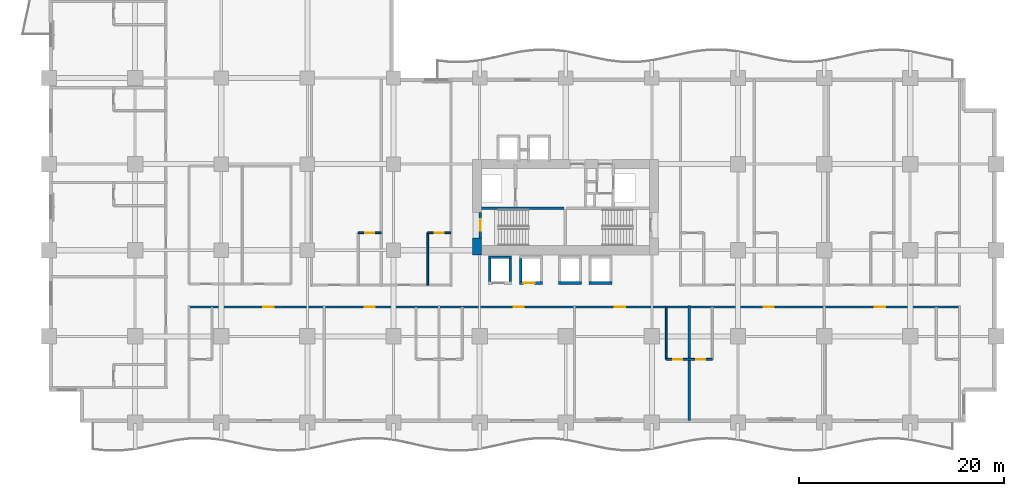
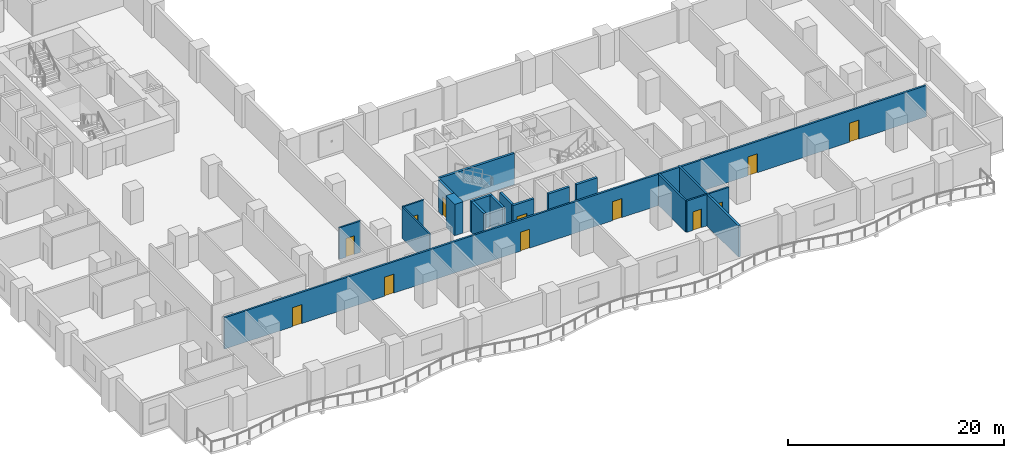
# One storey, part 6 of 22: 17 walls, 12 doors, 12 openings.
"""IFC4 building model written with IfcOpenShell, lengths in metres."""

from ifc_helpers import new_model, si_unit, direction, frame, frame_2d, origin, place, context, subcontext, project, spatial, rectangle, extrude, material, layer, layer_set, type_object, element, fill, save


model = new_model("IFC4")

# Units and contexts
model_context = context("Model", 3, precision=1e-05, world=origin(), true_north=direction((0.0, 1.0)))
body_context = subcontext(model_context, "Body", "Model", "MODEL_VIEW")
ifc_project = project(units=[si_unit("LENGTHUNIT", "METRE"), si_unit("AREAUNIT", "SQUARE_METRE"), si_unit("VOLUMEUNIT", "CUBIC_METRE"), si_unit("PLANEANGLEUNIT", "RADIAN"), si_unit("MASSUNIT", "GRAM", prefix="KILO")], contexts=[model_context])

# Site, building, storey
site_placement = place(None, origin())
site = spatial("IfcSite", under=ifc_project, at=site_placement, CompositionType="ELEMENT")
building_placement = place(site_placement, origin())
building = spatial("IfcBuilding", under=site, at=building_placement, Name="Koriwani Terraces Tower", CompositionType="ELEMENT")
storey_placement = place(building_placement, frame((0.0, 0.0, 51.0)))
storey = spatial("IfcBuildingStorey", under=building, at=storey_placement, Name="L11", CompositionType="ELEMENT", Elevation=51.0)

# Wall
ifc_material_1 = material(Name="Concrete C60/75", Category="concrete")
ifc_layer_1 = layer(ifc_material_1, 0.89990234375, Name="Concrete C60/75")
ifc_layer_set_1 = layer_set([ifc_layer_1], Name="Concrete C60/75")
wall_type_1 = type_object("IfcWallType", Name="WALL_CORE_RC_900", PredefinedType="SHEAR", material=ifc_layer_set_1)
wall_1_placement = place(storey_placement, frame((41.75, 16.35009765625, 0.0), z_axis=(0.0, 0.0, 1.0), x_axis=(0.0, 1.0, 0.0)))
element("IfcWall", 1, at=wall_1_placement, inside=storey, type_object=wall_type_1, Name="L11 East Split Core Shear Wall W1", PredefinedType="SHEAR", context=body_context, shape_type="SweptSolid", body=[
    extrude(rectangle(XDim=1.64990234375, YDim=0.89990234375, at=frame_2d((0.824951171875, 0.0))), origin(), (0.0, 0.0, 1.0), 3.550048828125),
])

# Wall, openings, doors
ifc_material_2 = material(Name="Autoclaved Cellular Concrete Blockwork", Category="masonry")
ifc_layer_2 = layer(ifc_material_2, 0.199951171875, Name="Autoclaved Cellular Concrete Blockwork")
ifc_layer_set_2 = layer_set([ifc_layer_2], Name="Autoclaved Cellular Concrete Blockwork")
wall_type_2 = type_object("IfcWallType", Name="WALL_CORRIDOR_200", PredefinedType="PARTITIONING", material=ifc_layer_set_2)
wall_2_placement = place(storey_placement, frame((13.64990234375, 11.25, 0.0), z_axis=(0.0, 0.0, 1.0), x_axis=(1.0, 0.0, 0.0)))
wall_2 = element("IfcWall", 2, at=wall_2_placement, inside=storey, type_object=wall_type_2, Name="L11 Interior Wall WCOR-L11-SW-0", PredefinedType="PARTITIONING", context=body_context, shape_type="SweptSolid", body=[
    extrude(rectangle(XDim=75.150146484375, YDim=0.199951171875, at=frame_2d((37.5751953125, 0.0))), origin(), (0.0, 0.0, 1.0), 3.550048828125),
])
opening_1_placement = place(wall_2_placement, frame((7.264892578125, 0.0, 0.0)))
opening_1 = element("IfcOpeningElement", 3, at=opening_1_placement, cuts=wall_2, Name="Opening D-05", PredefinedType="OPENING", context=body_context, shape_type="SweptSolid", body=[
    extrude(rectangle(XDim=1.0, YDim=2.14990234375, at=frame_2d((0.5, 1.074951171875))), frame((0.0, 0.10986328125, 0.0), z_axis=(0.0, -1.0, 0.0), x_axis=(1.0, 0.0, 0.0)), (0.0, 0.0, 1.0), 0.219970703125),
])
opening_2_placement = place(wall_2_placement, frame((17.135009765625, 0.0, 0.0)))
opening_2 = element("IfcOpeningElement", 4, at=opening_2_placement, cuts=wall_2, Name="Opening D-05", PredefinedType="OPENING", context=body_context, shape_type="SweptSolid", body=[
    extrude(rectangle(XDim=1.0, YDim=2.14990234375, at=frame_2d((0.5, 1.074951171875))), frame((0.0, 0.10986328125, 0.0), z_axis=(0.0, -1.0, 0.0), x_axis=(1.0, 0.0, 0.0)), (0.0, 0.0, 1.0), 0.219970703125),
])
opening_3_placement = place(wall_2_placement, frame((31.6650390625, 0.0, 0.0)))
opening_3 = element("IfcOpeningElement", 5, at=opening_3_placement, cuts=wall_2, Name="Opening D-05", PredefinedType="OPENING", context=body_context, shape_type="SweptSolid", body=[
    extrude(rectangle(XDim=1.0, YDim=2.14990234375, at=frame_2d((0.5, 1.074951171875))), frame((0.0, 0.10986328125, 0.0), z_axis=(0.0, -1.0, 0.0), x_axis=(1.0, 0.0, 0.0)), (0.0, 0.0, 1.0), 0.219970703125),
])
opening_4_placement = place(wall_2_placement, frame((41.534912109375, 0.0, 0.0)))
opening_4 = element("IfcOpeningElement", 6, at=opening_4_placement, cuts=wall_2, Name="Opening D-05", PredefinedType="OPENING", context=body_context, shape_type="SweptSolid", body=[
    extrude(rectangle(XDim=1.0, YDim=2.14990234375, at=frame_2d((0.5, 1.074951171875))), frame((0.0, 0.10986328125, 0.0), z_axis=(0.0, -1.0, 0.0), x_axis=(1.0, 0.0, 0.0)), (0.0, 0.0, 1.0), 0.219970703125),
])
opening_5_placement = place(wall_2_placement, frame((56.06494140625, 0.0, 0.0)))
opening_5 = element("IfcOpeningElement", 7, at=opening_5_placement, cuts=wall_2, Name="Opening D-05", PredefinedType="OPENING", context=body_context, shape_type="SweptSolid", body=[
    extrude(rectangle(XDim=1.0, YDim=2.14990234375, at=frame_2d((0.5, 1.074951171875))), frame((0.0, 0.10986328125, 0.0), z_axis=(0.0, -1.0, 0.0), x_axis=(1.0, 0.0, 0.0)), (0.0, 0.0, 1.0), 0.219970703125),
])
opening_6_placement = place(wall_2_placement, frame((66.909912109375, 0.0, 0.0)))
opening_6 = element("IfcOpeningElement", 8, at=opening_6_placement, cuts=wall_2, Name="Opening D-05", PredefinedType="OPENING", context=body_context, shape_type="SweptSolid", body=[
    extrude(rectangle(XDim=1.0, YDim=2.14990234375, at=frame_2d((0.5, 1.074951171875))), frame((0.0, 0.10986328125, 0.0), z_axis=(0.0, -1.0, 0.0), x_axis=(1.0, 0.0, 0.0)), (0.0, 0.0, 1.0), 0.219970703125),
])
ifc_material_3 = material(Name="Architectural Oak Fire Door", Category="wood")
door_type_1 = type_object("IfcDoorType", Name="DOOR_SUITE_ENTRY_1000X2150", OperationType="NOTDEFINED", PredefinedType="DOOR", material=ifc_material_3)
door_1_placement = place(opening_1_placement, origin())
door_1 = element("IfcDoor", 9, at=door_1_placement, inside=storey, type_object=door_type_1, Name="Luxury Hotel Suite 11SW1 Entrance Door", OperationType="SINGLE_SWING_LEFT", OverallHeight=2.14990234375, OverallWidth=1.0, PredefinedType="DOOR", context=body_context, shape_type="SweptSolid", body=[
    extrude(rectangle(XDim=1.0, YDim=2.14990234375, at=frame_2d((0.5, 1.074951171875))), frame((0.0, 0.02490234375, 0.0), z_axis=(0.0, -1.0, 0.0), x_axis=(1.0, 0.0, 0.0)), (0.0, 0.0, 1.0), 0.050048828125),
])
fill(opening_1, door_1)
door_2_placement = place(opening_2_placement, origin())
door_2 = element("IfcDoor", 10, at=door_2_placement, inside=storey, type_object=door_type_1, Name="Luxury Hotel Suite 11SW2 Entrance Door", OperationType="SINGLE_SWING_LEFT", OverallHeight=2.14990234375, OverallWidth=1.0, PredefinedType="DOOR", context=body_context, shape_type="SweptSolid", body=[
    extrude(rectangle(XDim=1.0, YDim=2.14990234375, at=frame_2d((0.5, 1.074951171875))), frame((0.0, 0.02490234375, 0.0), z_axis=(0.0, -1.0, 0.0), x_axis=(1.0, 0.0, 0.0)), (0.0, 0.0, 1.0), 0.050048828125),
])
fill(opening_2, door_2)
door_3_placement = place(opening_3_placement, origin())
door_3 = element("IfcDoor", 11, at=door_3_placement, inside=storey, type_object=door_type_1, Name="Luxury Hotel Suite 11SW3 Entrance Door", OperationType="SINGLE_SWING_LEFT", OverallHeight=2.14990234375, OverallWidth=1.0, PredefinedType="DOOR", context=body_context, shape_type="SweptSolid", body=[
    extrude(rectangle(XDim=1.0, YDim=2.14990234375, at=frame_2d((0.5, 1.074951171875))), frame((0.0, 0.02490234375, 0.0), z_axis=(0.0, -1.0, 0.0), x_axis=(1.0, 0.0, 0.0)), (0.0, 0.0, 1.0), 0.050048828125),
])
fill(opening_3, door_3)
door_4_placement = place(opening_4_placement, origin())
door_4 = element("IfcDoor", 12, at=door_4_placement, inside=storey, type_object=door_type_1, Name="Luxury Hotel Suite 11SW4 Entrance Door", OperationType="SINGLE_SWING_LEFT", OverallHeight=2.14990234375, OverallWidth=1.0, PredefinedType="DOOR", context=body_context, shape_type="SweptSolid", body=[
    extrude(rectangle(XDim=1.0, YDim=2.14990234375, at=frame_2d((0.5, 1.074951171875))), frame((0.0, 0.02490234375, 0.0), z_axis=(0.0, -1.0, 0.0), x_axis=(1.0, 0.0, 0.0)), (0.0, 0.0, 1.0), 0.050048828125),
])
fill(opening_4, door_4)
door_5_placement = place(opening_5_placement, origin())
door_5 = element("IfcDoor", 13, at=door_5_placement, inside=storey, type_object=door_type_1, Name="Luxury Hotel Suite 11SW5 Entrance Door", OperationType="SINGLE_SWING_LEFT", OverallHeight=2.14990234375, OverallWidth=1.0, PredefinedType="DOOR", context=body_context, shape_type="SweptSolid", body=[
    extrude(rectangle(XDim=1.0, YDim=2.14990234375, at=frame_2d((0.5, 1.074951171875))), frame((0.0, 0.02490234375, 0.0), z_axis=(0.0, -1.0, 0.0), x_axis=(1.0, 0.0, 0.0)), (0.0, 0.0, 1.0), 0.050048828125),
])
fill(opening_5, door_5)
door_6_placement = place(opening_6_placement, origin())
door_6 = element("IfcDoor", 14, at=door_6_placement, inside=storey, type_object=door_type_1, Name="Luxury Hotel Suite 11SW6 Entrance Door", OperationType="SINGLE_SWING_LEFT", OverallHeight=2.14990234375, OverallWidth=1.0, PredefinedType="DOOR", context=body_context, shape_type="SweptSolid", body=[
    extrude(rectangle(XDim=1.0, YDim=2.14990234375, at=frame_2d((0.5, 1.074951171875))), frame((0.0, 0.02490234375, 0.0), z_axis=(0.0, -1.0, 0.0), x_axis=(1.0, 0.0, 0.0)), (0.0, 0.0, 1.0), 0.050048828125),
])
fill(opening_6, door_6)

# Wall
ifc_layer_3 = layer(ifc_material_2, 0.219970703125, Name="Autoclaved Cellular Concrete Blockwork")
ifc_layer_set_3 = layer_set([ifc_layer_3], Name="Autoclaved Cellular Concrete Blockwork")
wall_type_3 = type_object("IfcWallType", Name="WALL_DEMISING_220", PredefinedType="PARTITIONING", material=ifc_layer_set_3)
wall_3_placement = place(storey_placement, frame((62.449951171875, 0.199951171875, 0.0), z_axis=(0.0, 0.0, 1.0), x_axis=(0.0, 1.0, 0.0)))
element("IfcWall", 15, at=wall_3_placement, inside=storey, type_object=wall_type_3, Name="L11 Interior Wall WDEM-L11-SW-4", PredefinedType="PARTITIONING", context=body_context, shape_type="SweptSolid", body=[
    extrude(rectangle(XDim=11.22998046875, YDim=0.219970703125, at=frame_2d((5.614990234375, 0.0))), origin(), (0.0, 0.0, 1.0), 3.550048828125),
])

# Wall, opening, door
ifc_material_4 = material(Name="Fire-Rated Acoustic Gypsum Partition", Category="masonry")
ifc_layer_4 = layer(ifc_material_4, 0.179931640625, Name="Fire-Rated Acoustic Gypsum Partition")
ifc_layer_set_4 = layer_set([ifc_layer_4], Name="Fire-Rated Acoustic Gypsum Partition")
wall_type_4 = type_object("IfcWallType", Name="WALL_PLUMBING_180", PredefinedType="PLUMBINGWALL", material=ifc_layer_set_4)
wall_4_placement = place(storey_placement, frame((30.14990234375, 18.5, 0.0), z_axis=(0.0, 0.0, 1.0), x_axis=(1.0, 0.0, 0.0)))
wall_4 = element("IfcWall", 16, at=wall_4_placement, inside=storey, type_object=wall_type_4, Name="L11 Interior Wall WBTH1-L11-SWI-0", PredefinedType="PLUMBINGWALL", context=body_context, shape_type="SweptSolid", body=[
    extrude(rectangle(XDim=2.25, YDim=0.179931640625, at=frame_2d((1.125, 0.0))), origin(), (0.0, 0.0, 1.0), 3.550048828125),
])
opening_7_placement = place(wall_4_placement, frame((0.675048828125, 0.0, 0.0)))
opening_7 = element("IfcOpeningElement", 17, at=opening_7_placement, cuts=wall_4, Name="Opening D-07", PredefinedType="OPENING", context=body_context, shape_type="SweptSolid", body=[
    extrude(rectangle(XDim=0.89990234375, YDim=2.10009765625, at=frame_2d((0.449951171875, 1.050048828125))), frame((0.0, 0.10009765625, 0.0), z_axis=(0.0, -1.0, 0.0), x_axis=(1.0, 0.0, 0.0)), (0.0, 0.0, 1.0), 0.199951171875),
])
door_type_2 = type_object("IfcDoorType", Name="DOOR_BATH_INT_900X2100", OperationType="NOTDEFINED", PredefinedType="DOOR", material=ifc_material_3)
door_7_placement = place(opening_7_placement, origin())
door_7 = element("IfcDoor", 18, at=door_7_placement, inside=storey, type_object=door_type_2, Name="En-Suite Bathroom 11SWI1 Door", OperationType="SINGLE_SWING_RIGHT", OverallHeight=2.10009765625, OverallWidth=0.89990234375, PredefinedType="DOOR", context=body_context, shape_type="SweptSolid", body=[
    extrude(rectangle(XDim=0.89990234375, YDim=2.10009765625, at=frame_2d((0.449951171875, 1.050048828125))), frame((0.0, 0.02490234375, 0.0), z_axis=(0.0, -1.0, 0.0), x_axis=(1.0, 0.0, 0.0)), (0.0, 0.0, 1.0), 0.050048828125),
])
fill(opening_7, door_7)

wall_5_placement = place(storey_placement, frame((36.949951171875, 18.5, 0.0), z_axis=(0.0, 0.0, 1.0), x_axis=(1.0, 0.0, 0.0)))
wall_5 = element("IfcWall", 19, at=wall_5_placement, inside=storey, type_object=wall_type_4, Name="L11 Interior Wall WBTH1-L11-SWI-1", PredefinedType="PLUMBINGWALL", context=body_context, shape_type="SweptSolid", body=[
    extrude(rectangle(XDim=2.25, YDim=0.179931640625, at=frame_2d((1.125, 0.0))), origin(), (0.0, 0.0, 1.0), 3.550048828125),
])
opening_8_placement = place(wall_5_placement, frame((0.675048828125, 0.0, 0.0)))
opening_8 = element("IfcOpeningElement", 20, at=opening_8_placement, cuts=wall_5, Name="Opening D-07", PredefinedType="OPENING", context=body_context, shape_type="SweptSolid", body=[
    extrude(rectangle(XDim=0.89990234375, YDim=2.10009765625, at=frame_2d((0.449951171875, 1.050048828125))), frame((0.0, 0.10009765625, 0.0), z_axis=(0.0, -1.0, 0.0), x_axis=(1.0, 0.0, 0.0)), (0.0, 0.0, 1.0), 0.199951171875),
])
door_8_placement = place(opening_8_placement, origin())
door_8 = element("IfcDoor", 21, at=door_8_placement, inside=storey, type_object=door_type_2, Name="En-Suite Bathroom 11SWI2 Door", OperationType="SINGLE_SWING_RIGHT", OverallHeight=2.10009765625, OverallWidth=0.89990234375, PredefinedType="DOOR", context=body_context, shape_type="SweptSolid", body=[
    extrude(rectangle(XDim=0.89990234375, YDim=2.10009765625, at=frame_2d((0.449951171875, 1.050048828125))), frame((0.0, 0.02490234375, 0.0), z_axis=(0.0, -1.0, 0.0), x_axis=(1.0, 0.0, 0.0)), (0.0, 0.0, 1.0), 0.050048828125),
])
fill(opening_8, door_8)

# Wall
wall_6_placement = place(storey_placement, frame((36.949951171875, 13.39990234375, 0.0), z_axis=(0.0, 0.0, 1.0), x_axis=(0.0, 1.0, 0.0)))
element("IfcWall", 22, at=wall_6_placement, inside=storey, type_object=wall_type_4, Name="L11 Interior Wall WBTH2-L11-SWI-1", PredefinedType="PLUMBINGWALL", context=body_context, shape_type="SweptSolid", body=[
    extrude(rectangle(XDim=5.10009765625, YDim=0.179931640625, at=frame_2d((2.550048828125, 0.0))), origin(), (0.0, 0.0, 1.0), 3.550048828125),
])

# Wall, openings, doors
wall_7_placement = place(storey_placement, frame((60.199951171875, 6.14990234375, 0.0), z_axis=(0.0, 0.0, 1.0), x_axis=(1.0, 0.0, 0.0)))
wall_7 = element("IfcWall", 23, at=wall_7_placement, inside=storey, type_object=wall_type_4, Name="L11 Interior Wall WBTH1-L11-SW-3", PredefinedType="PLUMBINGWALL", context=body_context, shape_type="SweptSolid", body=[
    extrude(rectangle(XDim=4.5, YDim=0.179931640625, at=frame_2d((2.25, 0.0))), origin(), (0.0, 0.0, 1.0), 3.550048828125),
])
opening_9_placement = place(wall_7_placement, frame((0.675048828125, 0.0, 0.0)))
opening_9 = element("IfcOpeningElement", 24, at=opening_9_placement, cuts=wall_7, Name="Opening D-07", PredefinedType="OPENING", context=body_context, shape_type="SweptSolid", body=[
    extrude(rectangle(XDim=0.89990234375, YDim=2.10009765625, at=frame_2d((0.449951171875, 1.050048828125))), frame((0.0, 0.10009765625, 0.0), z_axis=(0.0, -1.0, 0.0), x_axis=(1.0, 0.0, 0.0)), (0.0, 0.0, 1.0), 0.199951171875),
])
opening_10_placement = place(wall_7_placement, frame((2.925048828125, 0.0, 0.0)))
opening_10 = element("IfcOpeningElement", 25, at=opening_10_placement, cuts=wall_7, Name="Opening D-07", PredefinedType="OPENING", context=body_context, shape_type="SweptSolid", body=[
    extrude(rectangle(XDim=0.89990234375, YDim=2.10009765625, at=frame_2d((0.449951171875, 1.050048828125))), frame((0.0, 0.10009765625, 0.0), z_axis=(0.0, -1.0, 0.0), x_axis=(1.0, 0.0, 0.0)), (0.0, 0.0, 1.0), 0.199951171875),
])
door_9_placement = place(opening_9_placement, origin())
door_9 = element("IfcDoor", 26, at=door_9_placement, inside=storey, type_object=door_type_2, Name="En-Suite Bathroom 11SW4 Door", OperationType="SINGLE_SWING_RIGHT", OverallHeight=2.10009765625, OverallWidth=0.89990234375, PredefinedType="DOOR", context=body_context, shape_type="SweptSolid", body=[
    extrude(rectangle(XDim=0.89990234375, YDim=2.10009765625, at=frame_2d((0.449951171875, 1.050048828125))), frame((0.0, 0.02490234375, 0.0), z_axis=(0.0, -1.0, 0.0), x_axis=(1.0, 0.0, 0.0)), (0.0, 0.0, 1.0), 0.050048828125),
])
fill(opening_9, door_9)
door_10_placement = place(opening_10_placement, origin())
door_10 = element("IfcDoor", 27, at=door_10_placement, inside=storey, type_object=door_type_2, Name="En-Suite Bathroom 11SW5 Door", OperationType="SINGLE_SWING_RIGHT", OverallHeight=2.10009765625, OverallWidth=0.89990234375, PredefinedType="DOOR", context=body_context, shape_type="SweptSolid", body=[
    extrude(rectangle(XDim=0.89990234375, YDim=2.10009765625, at=frame_2d((0.449951171875, 1.050048828125))), frame((0.0, 0.02490234375, 0.0), z_axis=(0.0, -1.0, 0.0), x_axis=(1.0, 0.0, 0.0)), (0.0, 0.0, 1.0), 0.050048828125),
])
fill(opening_10, door_10)

# Walls
wall_8_placement = place(storey_placement, frame((60.199951171875, 6.14990234375, 0.0), z_axis=(0.0, 0.0, 1.0), x_axis=(0.0, 1.0, 0.0)))
element("IfcWall", 28, at=wall_8_placement, inside=storey, type_object=wall_type_4, Name="L11 Interior Wall WBTH2-L11-SW-3", PredefinedType="PLUMBINGWALL", context=body_context, shape_type="SweptSolid", body=[
    extrude(rectangle(XDim=5.10009765625, YDim=0.179931640625, at=frame_2d((2.550048828125, 0.0))), origin(), (0.0, 0.0, 1.0), 3.550048828125),
])
ifc_material_5 = material(Name="Concrete C40/50", Category="concrete")
ifc_layer_5 = layer(ifc_material_5, 0.25, Name="Concrete C40/50")
ifc_layer_set_5 = layer_set([ifc_layer_5], Name="Concrete C40/50")
wall_type_5 = type_object("IfcWallType", Name="WALL_SHAFT_RATED_250", PredefinedType="SOLIDWALL", material=ifc_layer_set_5)
wall_9_placement = place(storey_placement, frame((42.199951171875, 20.875, 0.0), z_axis=(0.0, 0.0, 1.0), x_axis=(1.0, 0.0, 0.0)))
element("IfcWall", 29, at=wall_9_placement, inside=storey, type_object=wall_type_5, Name="L11 East Split Core Web Wall MID1", PredefinedType="SOLIDWALL", context=body_context, shape_type="SweptSolid", body=[
    extrude(rectangle(XDim=8.050048828125, YDim=0.25, at=frame_2d((4.02490234375, 0.0))), origin(), (0.0, 0.0, 1.0), 3.550048828125),
])

# Wall, opening, door
wall_10_placement = place(storey_placement, frame((42.074951171875, 18.0, 0.0), z_axis=(0.0, 0.0, 1.0), x_axis=(0.0, 1.0, 0.0)))
wall_10 = element("IfcWall", 30, at=wall_10_placement, inside=storey, type_object=wall_type_5, Name="L11 Interior Wall WIN-CE-L11-STW", PredefinedType="SOLIDWALL", context=body_context, shape_type="SweptSolid", body=[
    extrude(rectangle(XDim=2.5, YDim=0.25, at=frame_2d((1.25, 0.0))), origin(), (0.0, 0.0, 1.0), 3.550048828125),
])
opening_11_placement = place(wall_10_placement, frame((0.699951171875, 0.0, 0.0)))
opening_11 = element("IfcOpeningElement", 31, at=opening_11_placement, cuts=wall_10, Name="Opening D-03", PredefinedType="OPENING", context=body_context, shape_type="SweptSolid", body=[
    extrude(rectangle(XDim=1.10009765625, YDim=2.14990234375, at=frame_2d((0.550048828125, 1.074951171875))), frame((0.0, 0.135009765625, 0.0), z_axis=(0.0, -1.0, 0.0), x_axis=(1.0, 0.0, 0.0)), (0.0, 0.0, 1.0), 0.27001953125),
])
ifc_material_6 = material(Name="Steel ASTM A572 Grade 50", Category="steel")
door_type_3 = type_object("IfcDoorType", Name="DOOR_STAIR_FIRE_1100X2150", OperationType="NOTDEFINED", PredefinedType="DOOR", material=ifc_material_6)
door_11_placement = place(opening_11_placement, origin())
door_11 = element("IfcDoor", 32, at=door_11_placement, inside=storey, type_object=door_type_3, Name="L11 Exit Stair ST-E1 Door", OperationType="SINGLE_SWING_RIGHT", OverallHeight=2.14990234375, OverallWidth=1.10009765625, PredefinedType="DOOR", context=body_context, shape_type="SweptSolid", body=[
    extrude(rectangle(XDim=1.10009765625, YDim=2.14990234375, at=frame_2d((0.550048828125, 1.074951171875))), frame((0.0, 0.02490234375, 0.0), z_axis=(0.0, -1.0, 0.0), x_axis=(1.0, 0.0, 0.0)), (0.0, 0.0, 1.0), 0.050048828125),
])
fill(opening_11, door_11)

# Walls
for number, where, z_axis, x_axis, name in (
    (33, (42.875, 16.10009765625, 0.0), (0.0, 0.0, 1.0), (1.0, 0.0, 0.0), "L11 Interior Wall WIN-LF-PE-L3-L11-B"),
    (34, (43.0, 13.72509765625, 0.0), (0.0, 0.0, 1.0), (0.0, 1.0, 0.0), "L11 Interior Wall WIN-LF-PE-L3-L11-W"),
    (35, (45.0, 13.72509765625, 0.0), (0.0, 0.0, 1.0), (0.0, 1.0, 0.0), "L11 Interior Wall WIN-LF-PE-L3-L11-E"),
):
    element("IfcWall", number, at=place(storey_placement, frame(where, z_axis=z_axis, x_axis=x_axis)), inside=storey, type_object=wall_type_5, Name=name, PredefinedType="SOLIDWALL", context=body_context, shape_type="SweptSolid", body=[
        extrude(rectangle(XDim=2.25, YDim=0.25, at=frame_2d((1.125, 0.0))), origin(), (0.0, 0.0, 1.0), 3.550048828125),
    ])

# Wall, opening, door
wall_11_placement = place(storey_placement, frame((45.875, 13.60009765625, 0.0), z_axis=(0.0, 0.0, 1.0), x_axis=(1.0, 0.0, 0.0)))
wall_11 = element("IfcWall", 36, at=wall_11_placement, inside=storey, type_object=wall_type_5, Name="L11 Interior Wall WIN-LF-PE-L4-L11-F", PredefinedType="SOLIDWALL", context=body_context, shape_type="SweptSolid", body=[
    extrude(rectangle(XDim=2.25, YDim=0.25, at=frame_2d((1.125, 0.0))), origin(), (0.0, 0.0, 1.0), 3.550048828125),
])
opening_12_placement = place(wall_11_placement, frame((0.39990234375, 0.0, 0.0)))
opening_12 = element("IfcOpeningElement", 37, at=opening_12_placement, cuts=wall_11, Name="Opening LD-01", PredefinedType="OPENING", context=body_context, shape_type="SweptSolid", body=[
    extrude(rectangle(XDim=1.10009765625, YDim=2.14990234375, at=frame_2d((0.550048828125, 1.074951171875))), frame((0.0, 0.135009765625, 0.0), z_axis=(0.0, -1.0, 0.0), x_axis=(1.0, 0.0, 0.0)), (0.0, 0.0, 1.0), 0.27001953125),
])
door_type_4 = type_object("IfcDoorType", Name="DOOR_LIFT_LANDING_1100X2200", OperationType="NOTDEFINED", PredefinedType="DOOR", material=ifc_material_6)
door_12_placement = place(opening_12_placement, origin())
door_12 = element("IfcDoor", 38, at=door_12_placement, inside=storey, type_object=door_type_4, Name="L11 Passenger Lift PE-L4 Landing Door", OperationType="SLIDING_TO_LEFT", OverallHeight=2.14990234375, OverallWidth=1.10009765625, PredefinedType="DOOR", context=body_context, shape_type="SweptSolid", body=[
    extrude(rectangle(XDim=1.10009765625, YDim=2.14990234375, at=frame_2d((0.550048828125, 1.074951171875))), frame((0.0, 0.02490234375, 0.0), z_axis=(0.0, -1.0, 0.0), x_axis=(1.0, 0.0, 0.0)), (0.0, 0.0, 1.0), 0.050048828125),
])
fill(opening_12, door_12)

# Walls
for number, where, z_axis, x_axis, name in (
    (39, (46.0, 13.72509765625, 0.0), (0.0, 0.0, 1.0), (0.0, 1.0, 0.0), "L11 Interior Wall WIN-LF-PE-L4-L11-W"),
    (40, (49.675048828125, 13.60009765625, 0.0), (0.0, 0.0, 1.0), (1.0, 0.0, 0.0), "L11 Interior Wall WIN-LF-PE-M3-L11-F"),
    (41, (52.675048828125, 13.60009765625, 0.0), (0.0, 0.0, 1.0), (1.0, 0.0, 0.0), "L11 Interior Wall WIN-LF-PE-M4-L11-F"),
):
    element("IfcWall", number, at=place(storey_placement, frame(where, z_axis=z_axis, x_axis=x_axis)), inside=storey, type_object=wall_type_5, Name=name, PredefinedType="SOLIDWALL", context=body_context, shape_type="SweptSolid", body=[
        extrude(rectangle(XDim=2.25, YDim=0.25, at=frame_2d((1.125, 0.0))), origin(), (0.0, 0.0, 1.0), 3.550048828125),
    ])

save(model, "model.ifc")
